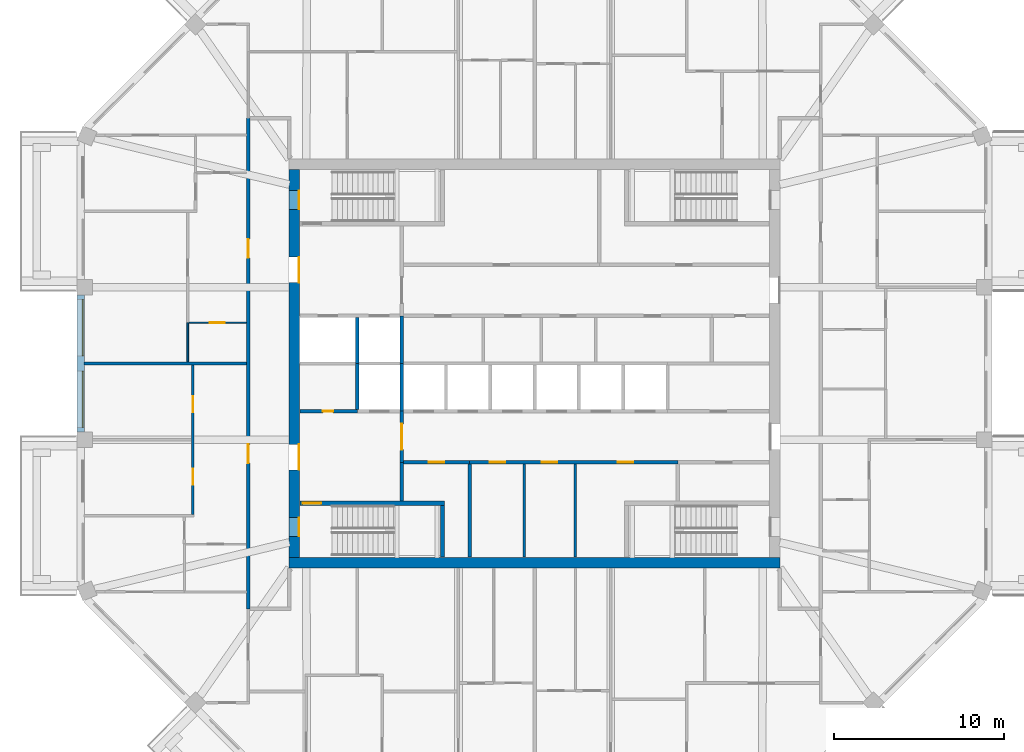
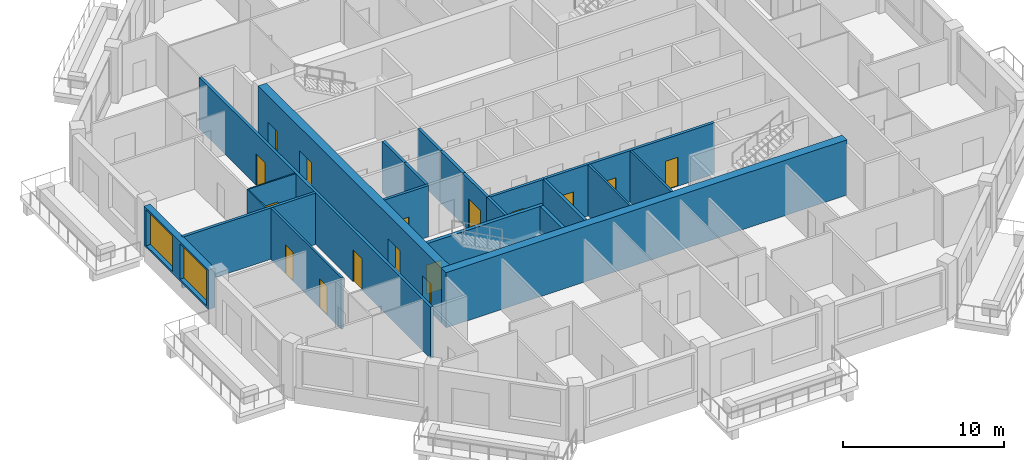
# One storey, part 4 of 12: 22 walls, 16 doors, 2 windows, 18 openings.
"""IFC4 building model written with IfcOpenShell, lengths in metres."""

from ifc_helpers import new_model, si_unit, direction, frame, frame_2d, origin, place, context, subcontext, project, spatial, rectangle, extrude, material, layer, layer_set, type_object, element, fill, save


model = new_model("IFC4")

# Units and contexts
model_context = context("Model", 3, precision=1e-05, world=origin(), true_north=direction((0.0, 1.0)))
body_context = subcontext(model_context, "Body", "Model", "MODEL_VIEW")
ifc_project = project(units=[si_unit("LENGTHUNIT", "METRE"), si_unit("AREAUNIT", "SQUARE_METRE"), si_unit("VOLUMEUNIT", "CUBIC_METRE"), si_unit("PLANEANGLEUNIT", "RADIAN"), si_unit("MASSUNIT", "GRAM", prefix="KILO")], contexts=[model_context])

# Site, building, storey
site_placement = place(None, origin())
site = spatial("IfcSite", under=ifc_project, at=site_placement, CompositionType="ELEMENT")
building_placement = place(site_placement, origin())
building = spatial("IfcBuilding", under=site, at=building_placement, Name="Msitu Wima Residences", CompositionType="ELEMENT")
storey_placement = place(building_placement, frame((0.0, 0.0, 306.300048828125)))
storey = spatial("IfcBuildingStorey", under=building, at=storey_placement, Name="L71", CompositionType="ELEMENT", Elevation=306.300048828125)

# Wall, openings, windows
ifc_material_1 = material(Name="Brick (red buff mix)", Category="masonry")
ifc_layer_1 = layer(ifc_material_1, 0.449951171875)
ifc_layer_set_1 = layer_set([ifc_layer_1], Name="Brick (red buff mix)")
wall_type_1 = type_object("IfcWallType", Name="Brick infill wall BW450", PredefinedType="SOLIDWALL", material=ifc_layer_set_1)
wall_1_placement = place(storey_placement, frame((-26.625, 4.0185546875, 0.89990234375), z_axis=(0.0, 0.0, 1.0), x_axis=(0.0, -1.0, 0.0)))
wall_1 = element("IfcWall", 1, at=wall_1_placement, inside=storey, type_object=wall_type_1, Name="Brick infill wall L71 W1", PredefinedType="SOLIDWALL", context=body_context, shape_type="SweptSolid", body=[
    extrude(rectangle(XDim=8.037109375, YDim=0.449951171875, at=frame_2d((4.0185546875, 0.0))), origin(), (0.0, 0.0, 1.0), 3.0),
])
opening_1_placement = place(wall_1_placement, frame((0.2685546875, 0.0, 0.14990234375)))
opening_1 = element("IfcOpeningElement", 2, at=opening_1_placement, cuts=wall_1, Name="Opening W71.028", PredefinedType="OPENING", context=body_context, shape_type="SweptSolid", body=[
    extrude(rectangle(XDim=3.300048828125, YDim=2.699951171875, at=frame_2d((1.64990234375, 1.35009765625))), frame((0.0, 0.23486328125, 0.0), z_axis=(0.0, -1.0, 0.0), x_axis=(1.0, 0.0, 0.0)), (0.0, 0.0, 1.0), 0.469970703125),
])
opening_2_placement = place(wall_1_placement, frame((4.46875, 0.0, 0.14990234375)))
opening_2 = element("IfcOpeningElement", 3, at=opening_2_placement, cuts=wall_1, Name="Opening W71.029", PredefinedType="OPENING", context=body_context, shape_type="SweptSolid", body=[
    extrude(rectangle(XDim=3.300048828125, YDim=2.699951171875, at=frame_2d((1.64990234375, 1.35009765625))), frame((0.0, 0.23486328125, 0.0), z_axis=(0.0, -1.0, 0.0), x_axis=(1.0, 0.0, 0.0)), (0.0, 0.0, 1.0), 0.469970703125),
])
ifc_material_2 = material(Name="Anodised aluminium, bronze finish, clear low-emissivity double glazing", Category="aluminium")
window_type = type_object("IfcWindowType", Name="Window W3300x2700", PartitioningType="DOUBLE_PANEL_VERTICAL", PredefinedType="WINDOW", material=ifc_material_2)
window_1_placement = place(opening_1_placement, origin())
window_1 = element("IfcWindow", 4, at=window_1_placement, inside=storey, type_object=window_type, Name="Window L71 W1.1", OverallHeight=2.699951171875, OverallWidth=3.300048828125, PartitioningType="SINGLE_PANEL", PredefinedType="WINDOW", context=body_context, shape_type="SweptSolid", body=[
    extrude(rectangle(XDim=3.300048828125, YDim=2.699951171875, at=frame_2d((1.64990234375, 1.35009765625))), frame((0.0, 0.135009765625, 0.0), z_axis=(0.0, -1.0, 0.0), x_axis=(1.0, 0.0, 0.0)), (0.0, 0.0, 1.0), 0.06005859375),
])
fill(opening_1, window_1)
window_2_placement = place(opening_2_placement, origin())
window_2 = element("IfcWindow", 5, at=window_2_placement, inside=storey, type_object=window_type, Name="Window L71 W1.2", OverallHeight=2.699951171875, OverallWidth=3.300048828125, PartitioningType="SINGLE_PANEL", PredefinedType="WINDOW", context=body_context, shape_type="SweptSolid", body=[
    extrude(rectangle(XDim=3.300048828125, YDim=2.699951171875, at=frame_2d((1.64990234375, 1.35009765625))), frame((0.0, 0.135009765625, 0.0), z_axis=(0.0, -1.0, 0.0), x_axis=(1.0, 0.0, 0.0)), (0.0, 0.0, 1.0), 0.06005859375),
])
fill(opening_2, window_2)

# Wall
ifc_material_3 = material(Name="Concrete C50/60", Category="concrete")
ifc_layer_2 = layer(ifc_material_3, 0.60009765625)
ifc_layer_set_2 = layer_set([ifc_layer_2], Name="Concrete C50/60")
wall_type_2 = type_object("IfcWallType", Name="Core wall CW600 C50/60", PredefinedType="SHEAR", material=ifc_layer_set_2)
wall_2_placement = place(storey_placement, frame((-14.39990234375, -11.699951171875, 0.0), z_axis=(0.0, 0.0, 1.0), x_axis=(1.0, 0.0, 0.0)))
element("IfcWall", 6, at=wall_2_placement, inside=storey, type_object=wall_type_2, Name="Core wall", PredefinedType="SHEAR", context=body_context, shape_type="SweptSolid", body=[
    extrude(rectangle(XDim=28.7998046875, YDim=0.60009765625, at=frame_2d((14.39990234375, 0.0))), origin(), (0.0, 0.0, 1.0), 4.199951171875),
])

# Wall, openings, doors
wall_3_placement = place(storey_placement, frame((-14.10009765625, -11.39990234375, 0.0), z_axis=(0.0, 0.0, 1.0), x_axis=(0.0, 1.0, 0.0)))
wall_3 = element("IfcWall", 7, at=wall_3_placement, inside=storey, type_object=wall_type_2, Name="Core wall", PredefinedType="SHEAR", context=body_context, shape_type="SweptSolid", body=[
    extrude(rectangle(XDim=22.7998046875, YDim=0.60009765625, at=frame_2d((11.39990234375, 0.0))), origin(), (0.0, 0.0, 1.0), 4.199951171875),
])
opening_3_placement = place(wall_3_placement, frame((20.449951171875, 0.0, 0.0)))
opening_3 = element("IfcOpeningElement", 8, at=opening_3_placement, cuts=wall_3, Name="Opening D71.084", PredefinedType="OPENING", context=body_context, shape_type="SweptSolid", body=[
    extrude(rectangle(XDim=1.10009765625, YDim=2.199951171875, at=frame_2d((0.550048828125, 1.10009765625))), frame((0.0, 0.31005859375, 0.0), z_axis=(0.0, -1.0, 0.0), x_axis=(1.0, 0.0, 0.0)), (0.0, 0.0, 1.0), 0.6201171875),
])
opening_4_placement = place(wall_3_placement, frame((1.25, 0.0, 0.0)))
opening_4 = element("IfcOpeningElement", 9, at=opening_4_placement, cuts=wall_3, Name="Opening D71.086", PredefinedType="OPENING", context=body_context, shape_type="SweptSolid", body=[
    extrude(rectangle(XDim=1.10009765625, YDim=2.199951171875, at=frame_2d((0.550048828125, 1.10009765625))), frame((0.0, 0.31005859375, 0.0), z_axis=(0.0, -1.0, 0.0), x_axis=(1.0, 0.0, 0.0)), (0.0, 0.0, 1.0), 0.6201171875),
])
opening_5_placement = place(wall_3_placement, frame((16.14990234375, 0.0, 0.0)))
opening_5 = element("IfcOpeningElement", 10, at=opening_5_placement, cuts=wall_3, Name="Opening D71.065", PredefinedType="OPENING", context=body_context, shape_type="SweptSolid", body=[
    extrude(rectangle(XDim=1.5, YDim=2.39990234375, at=frame_2d((0.75, 1.199951171875))), frame((0.0, 0.31005859375, 0.0), z_axis=(0.0, -1.0, 0.0), x_axis=(1.0, 0.0, 0.0)), (0.0, 0.0, 1.0), 0.6201171875),
])
opening_6_placement = place(wall_3_placement, frame((5.14990234375, 0.0, 0.0)))
opening_6 = element("IfcOpeningElement", 11, at=opening_6_placement, cuts=wall_3, Name="Opening D71.067", PredefinedType="OPENING", context=body_context, shape_type="SweptSolid", body=[
    extrude(rectangle(XDim=1.5, YDim=2.39990234375, at=frame_2d((0.75, 1.199951171875))), frame((0.0, 0.31005859375, 0.0), z_axis=(0.0, -1.0, 0.0), x_axis=(1.0, 0.0, 0.0)), (0.0, 0.0, 1.0), 0.6201171875),
])
ifc_material_4 = material(Name="Steel framed glazed door, fire resisting", Category="steel")
door_type_1 = type_object("IfcDoorType", Name="Lobby door D07 1500x2400", OperationType="DOUBLE_DOOR_SINGLE_SWING", PredefinedType="DOOR", material=ifc_material_4)
door_1_placement = place(opening_5_placement, origin())
door_1 = element("IfcDoor", 12, at=door_1_placement, inside=storey, type_object=door_type_1, Name="Lobby door", OperationType="DOUBLE_DOOR_SINGLE_SWING", OverallHeight=2.39990234375, OverallWidth=1.5, PredefinedType="DOOR", context=body_context, shape_type="SweptSolid", body=[
    extrude(rectangle(XDim=1.5, YDim=2.39990234375, at=frame_2d((0.75, 1.199951171875))), frame((0.0, -0.2451171875, 0.0), z_axis=(0.0, -1.0, 0.0), x_axis=(1.0, 0.0, 0.0)), (0.0, 0.0, 1.0), 0.050048828125),
])
fill(opening_5, door_1)
door_2_placement = place(opening_6_placement, origin())
door_2 = element("IfcDoor", 13, at=door_2_placement, inside=storey, type_object=door_type_1, Name="Lobby door", OperationType="DOUBLE_DOOR_SINGLE_SWING", OverallHeight=2.39990234375, OverallWidth=1.5, PredefinedType="DOOR", context=body_context, shape_type="SweptSolid", body=[
    extrude(rectangle(XDim=1.5, YDim=2.39990234375, at=frame_2d((0.75, 1.199951171875))), frame((0.0, -0.2451171875, 0.0), z_axis=(0.0, -1.0, 0.0), x_axis=(1.0, 0.0, 0.0)), (0.0, 0.0, 1.0), 0.050048828125),
])
fill(opening_6, door_2)
ifc_material_5 = material(Name="Steel door, fire resisting, panic bar", Category="steel")
door_type_2 = type_object("IfcDoorType", Name="Stair door D06 1100x2200", OperationType="SINGLE_SWING_LEFT", PredefinedType="DOOR", material=ifc_material_5)
door_3_placement = place(opening_3_placement, origin())
door_3 = element("IfcDoor", 14, at=door_3_placement, inside=storey, type_object=door_type_2, Name="Stair door", OperationType="SINGLE_SWING_RIGHT", OverallHeight=2.199951171875, OverallWidth=1.10009765625, PredefinedType="DOOR", context=body_context, shape_type="SweptSolid", body=[
    extrude(rectangle(XDim=1.10009765625, YDim=2.199951171875, at=frame_2d((0.550048828125, 1.10009765625))), frame((0.0, -0.2451171875, 0.0), z_axis=(0.0, -1.0, 0.0), x_axis=(1.0, 0.0, 0.0)), (0.0, 0.0, 1.0), 0.050048828125),
])
fill(opening_3, door_3)
door_4_placement = place(opening_4_placement, origin())
door_4 = element("IfcDoor", 15, at=door_4_placement, inside=storey, type_object=door_type_2, Name="Stair door", OperationType="SINGLE_SWING_LEFT", OverallHeight=2.199951171875, OverallWidth=1.10009765625, PredefinedType="DOOR", context=body_context, shape_type="SweptSolid", body=[
    extrude(rectangle(XDim=1.10009765625, YDim=2.199951171875, at=frame_2d((0.550048828125, 1.10009765625))), frame((0.0, -0.2451171875, 0.0), z_axis=(0.0, -1.0, 0.0), x_axis=(1.0, 0.0, 0.0)), (0.0, 0.0, 1.0), 0.050048828125),
])
fill(opening_4, door_4)

ifc_material_6 = material(Name="Plaster")
ifc_layer_3 = layer(ifc_material_6, 0.011962890625, Name="Plaster")
ifc_material_7 = material(Name="Concrete blockwork", Category="masonry")
ifc_layer_4 = layer(ifc_material_7, 0.176025390625, Name="Concrete blockwork")
ifc_layer_5 = layer(ifc_material_6, 0.011962890625, Name="Plaster")
ifc_layer_set_3 = layer_set([ifc_layer_3, ifc_layer_4, ifc_layer_5], Name="Concrete blockwork")
wall_type_3 = type_object("IfcWallType", Name="Corridor wall FW200", PredefinedType="PARTITIONING", material=ifc_layer_set_3)
wall_4_placement = place(storey_placement, frame((-16.800048828125, -14.39990234375, 0.0), z_axis=(0.0, 0.0, 1.0), x_axis=(0.0, 1.0, 0.0)))
wall_4 = element("IfcWall", 16, at=wall_4_placement, inside=storey, type_object=wall_type_3, Name="Corridor wall", PredefinedType="PARTITIONING", context=body_context, shape_type="SweptSolid", body=[
    extrude(rectangle(XDim=28.7998046875, YDim=0.199951171875, at=frame_2d((14.39990234375, 0.0))), origin(), (0.0, 0.0, 1.0), 3.89990234375),
])
opening_7_placement = place(wall_4_placement, frame((20.60009765625, 0.0, 0.0)))
opening_7 = element("IfcOpeningElement", 17, at=opening_7_placement, cuts=wall_4, Name="Opening D71.037", PredefinedType="OPENING", context=body_context, shape_type="SweptSolid", body=[
    extrude(rectangle(XDim=1.10009765625, YDim=2.39990234375, at=frame_2d((0.550048828125, 1.199951171875))), frame((0.0, 0.10986328125, 0.0), z_axis=(0.0, -1.0, 0.0), x_axis=(1.0, 0.0, 0.0)), (0.0, 0.0, 1.0), 0.219970703125),
])
opening_8_placement = place(wall_4_placement, frame((8.550048828125, 0.0, 0.0)))
opening_8 = element("IfcOpeningElement", 18, at=opening_8_placement, cuts=wall_4, Name="Opening D71.050", PredefinedType="OPENING", context=body_context, shape_type="SweptSolid", body=[
    extrude(rectangle(XDim=1.10009765625, YDim=2.39990234375, at=frame_2d((0.550048828125, 1.199951171875))), frame((0.0, 0.10986328125, 0.0), z_axis=(0.0, -1.0, 0.0), x_axis=(1.0, 0.0, 0.0)), (0.0, 0.0, 1.0), 0.219970703125),
])
ifc_material_8 = material(Name="Timber flush door, fire resisting, self-closing", Category="wood")
door_type_3 = type_object("IfcDoorType", Name="Flat entrance door D01 1100x2400", OperationType="SINGLE_SWING_LEFT", PredefinedType="DOOR", material=ifc_material_8)
door_5_placement = place(opening_7_placement, origin())
door_5 = element("IfcDoor", 19, at=door_5_placement, inside=storey, type_object=door_type_3, Name="Flat entrance door", OperationType="SINGLE_SWING_RIGHT", OverallHeight=2.39990234375, OverallWidth=1.10009765625, PredefinedType="DOOR", context=body_context, shape_type="SweptSolid", body=[
    extrude(rectangle(XDim=1.10009765625, YDim=2.39990234375, at=frame_2d((0.550048828125, 1.199951171875))), frame((0.0, 0.02490234375, 0.0), z_axis=(0.0, -1.0, 0.0), x_axis=(1.0, 0.0, 0.0)), (0.0, 0.0, 1.0), 0.050048828125),
])
fill(opening_7, door_5)
door_6_placement = place(opening_8_placement, origin())
door_6 = element("IfcDoor", 20, at=door_6_placement, inside=storey, type_object=door_type_3, Name="Flat entrance door", OperationType="SINGLE_SWING_LEFT", OverallHeight=2.39990234375, OverallWidth=1.10009765625, PredefinedType="DOOR", context=body_context, shape_type="SweptSolid", body=[
    extrude(rectangle(XDim=1.10009765625, YDim=2.39990234375, at=frame_2d((0.550048828125, 1.199951171875))), frame((0.0, 0.02490234375, 0.0), z_axis=(0.0, -1.0, 0.0), x_axis=(1.0, 0.0, 0.0)), (0.0, 0.0, 1.0), 0.050048828125),
])
fill(opening_8, door_6)

# Wall, opening, door
wall_5_placement = place(storey_placement, frame((-7.800048828125, -5.800048828125, 0.0), z_axis=(0.0, 0.0, 1.0), x_axis=(0.0, 1.0, 0.0)))
wall_5 = element("IfcWall", 21, at=wall_5_placement, inside=storey, type_object=wall_type_3, Name="Corridor wall", PredefinedType="PARTITIONING", context=body_context, shape_type="SweptSolid", body=[
    extrude(rectangle(XDim=3.0, YDim=0.199951171875, at=frame_2d((1.5, 0.0))), origin(), (0.0, 0.0, 1.0), 3.89990234375),
])
opening_9_placement = place(wall_5_placement, frame((0.75, 0.0, 0.0)))
opening_9 = element("IfcOpeningElement", 22, at=opening_9_placement, cuts=wall_5, Name="Opening D71.068", PredefinedType="OPENING", context=body_context, shape_type="SweptSolid", body=[
    extrude(rectangle(XDim=1.5, YDim=2.39990234375, at=frame_2d((0.75, 1.199951171875))), frame((0.0, 0.10986328125, 0.0), z_axis=(0.0, -1.0, 0.0), x_axis=(1.0, 0.0, 0.0)), (0.0, 0.0, 1.0), 0.219970703125),
])
door_7_placement = place(opening_9_placement, origin())
door_7 = element("IfcDoor", 23, at=door_7_placement, inside=storey, type_object=door_type_1, Name="Lobby door", OperationType="DOUBLE_DOOR_SINGLE_SWING", OverallHeight=2.39990234375, OverallWidth=1.5, PredefinedType="DOOR", context=body_context, shape_type="SweptSolid", body=[
    extrude(rectangle(XDim=1.5, YDim=2.39990234375, at=frame_2d((0.75, 1.199951171875))), frame((0.0, 0.02490234375, 0.0), z_axis=(0.0, -1.0, 0.0), x_axis=(1.0, 0.0, 0.0)), (0.0, 0.0, 1.0), 0.050048828125),
])
fill(opening_9, door_7)

# Wall, openings, doors
wall_6_placement = place(storey_placement, frame((-3.820068359375, -5.800048828125, 0.0), z_axis=(0.0, 0.0, 1.0), x_axis=(1.0, 0.0, 0.0)))
wall_6 = element("IfcWall", 24, at=wall_6_placement, inside=storey, type_object=wall_type_3, Name="Corridor wall", PredefinedType="PARTITIONING", context=body_context, shape_type="SweptSolid", body=[
    extrude(rectangle(XDim=12.239990234375, YDim=0.199951171875, at=frame_2d((6.1201171875, 0.0))), origin(), (0.0, 0.0, 1.0), 3.89990234375),
])
opening_10_placement = place(wall_6_placement, frame((1.199951171875, 0.0, 0.0)))
opening_10 = element("IfcOpeningElement", 25, at=opening_10_placement, cuts=wall_6, Name="Opening D71.072", PredefinedType="OPENING", context=body_context, shape_type="SweptSolid", body=[
    extrude(rectangle(XDim=0.89990234375, YDim=2.199951171875, at=frame_2d((0.449951171875, 1.10009765625))), frame((0.0, 0.10986328125, 0.0), z_axis=(0.0, -1.0, 0.0), x_axis=(1.0, 0.0, 0.0)), (0.0, 0.0, 1.0), 0.219970703125),
])
opening_11_placement = place(wall_6_placement, frame((4.25, 0.0, 0.0)))
opening_11 = element("IfcOpeningElement", 26, at=opening_11_placement, cuts=wall_6, Name="Opening D71.073", PredefinedType="OPENING", context=body_context, shape_type="SweptSolid", body=[
    extrude(rectangle(XDim=0.89990234375, YDim=2.199951171875, at=frame_2d((0.449951171875, 1.10009765625))), frame((0.0, 0.10986328125, 0.0), z_axis=(0.0, -1.0, 0.0), x_axis=(1.0, 0.0, 0.0)), (0.0, 0.0, 1.0), 0.219970703125),
])
opening_12_placement = place(wall_6_placement, frame((8.699951171875, 0.0, 0.0)))
opening_12 = element("IfcOpeningElement", 27, at=opening_12_placement, cuts=wall_6, Name="Opening D71.074", PredefinedType="OPENING", context=body_context, shape_type="SweptSolid", body=[
    extrude(rectangle(XDim=0.89990234375, YDim=2.199951171875, at=frame_2d((0.449951171875, 1.10009765625))), frame((0.0, 0.10986328125, 0.0), z_axis=(0.0, -1.0, 0.0), x_axis=(1.0, 0.0, 0.0)), (0.0, 0.0, 1.0), 0.219970703125),
])
ifc_material_9 = material(Name="Timber flush door", Category="wood")
door_type_4 = type_object("IfcDoorType", Name="Service door D05 900x2200", OperationType="SINGLE_SWING_LEFT", PredefinedType="DOOR", material=ifc_material_9)
door_8_placement = place(opening_10_placement, origin())
door_8 = element("IfcDoor", 28, at=door_8_placement, inside=storey, type_object=door_type_4, Name="Service door", OperationType="SINGLE_SWING_LEFT", OverallHeight=2.199951171875, OverallWidth=0.89990234375, PredefinedType="DOOR", context=body_context, shape_type="SweptSolid", body=[
    extrude(rectangle(XDim=0.89990234375, YDim=2.199951171875, at=frame_2d((0.449951171875, 1.10009765625))), frame((0.0, 0.02490234375, 0.0), z_axis=(0.0, -1.0, 0.0), x_axis=(1.0, 0.0, 0.0)), (0.0, 0.0, 1.0), 0.050048828125),
])
fill(opening_10, door_8)
door_9_placement = place(opening_11_placement, origin())
door_9 = element("IfcDoor", 29, at=door_9_placement, inside=storey, type_object=door_type_4, Name="Service door", OperationType="SINGLE_SWING_RIGHT", OverallHeight=2.199951171875, OverallWidth=0.89990234375, PredefinedType="DOOR", context=body_context, shape_type="SweptSolid", body=[
    extrude(rectangle(XDim=0.89990234375, YDim=2.199951171875, at=frame_2d((0.449951171875, 1.10009765625))), frame((0.0, 0.02490234375, 0.0), z_axis=(0.0, -1.0, 0.0), x_axis=(1.0, 0.0, 0.0)), (0.0, 0.0, 1.0), 0.050048828125),
])
fill(opening_11, door_9)
door_10_placement = place(opening_12_placement, origin())
door_10 = element("IfcDoor", 30, at=door_10_placement, inside=storey, type_object=door_type_4, Name="Service door", OperationType="SINGLE_SWING_RIGHT", OverallHeight=2.199951171875, OverallWidth=0.89990234375, PredefinedType="DOOR", context=body_context, shape_type="SweptSolid", body=[
    extrude(rectangle(XDim=0.89990234375, YDim=2.199951171875, at=frame_2d((0.449951171875, 1.10009765625))), frame((0.0, 0.02490234375, 0.0), z_axis=(0.0, -1.0, 0.0), x_axis=(1.0, 0.0, 0.0)), (0.0, 0.0, 1.0), 0.050048828125),
])
fill(opening_12, door_10)

ifc_layer_6 = layer(ifc_material_6, 0.011962890625, Name="Plaster")
ifc_layer_7 = layer(ifc_material_7, 0.1259765625, Name="Concrete blockwork")
ifc_layer_8 = layer(ifc_material_6, 0.011962890625, Name="Plaster")
ifc_layer_set_4 = layer_set([ifc_layer_6, ifc_layer_7, ifc_layer_8], Name="Concrete blockwork")
wall_type_4 = type_object("IfcWallType", Name="Partition PW150", PredefinedType="PARTITIONING", material=ifc_layer_set_4)
wall_7_placement = place(storey_placement, frame((-20.050048828125, -8.8623046875, 0.0), z_axis=(0.0, 0.0, 1.0), x_axis=(0.0, 1.0, 0.0)))
wall_7 = element("IfcWall", 31, at=wall_7_placement, inside=storey, type_object=wall_type_4, Name="Partition", PredefinedType="PARTITIONING", context=body_context, shape_type="SweptSolid", body=[
    extrude(rectangle(XDim=8.76220703125, YDim=0.14990234375, at=frame_2d((4.381103515625, 0.0))), origin(), (0.0, 0.0, 1.0), 3.89990234375),
])
opening_13_placement = place(wall_7_placement, frame((6.0, 0.0, 0.0)))
opening_13 = element("IfcOpeningElement", 32, at=opening_13_placement, cuts=wall_7, Name="Opening D71.056", PredefinedType="OPENING", context=body_context, shape_type="SweptSolid", body=[
    extrude(rectangle(XDim=0.949951171875, YDim=2.199951171875, at=frame_2d((0.47509765625, 1.10009765625))), frame((0.0, 0.0849609375, 0.0), z_axis=(0.0, -1.0, 0.0), x_axis=(1.0, 0.0, 0.0)), (0.0, 0.0, 1.0), 0.169921875),
])
opening_14_placement = place(wall_7_placement, frame((1.75, 0.0, 0.0)))
opening_14 = element("IfcOpeningElement", 33, at=opening_14_placement, cuts=wall_7, Name="Opening D71.057", PredefinedType="OPENING", context=body_context, shape_type="SweptSolid", body=[
    extrude(rectangle(XDim=0.949951171875, YDim=2.199951171875, at=frame_2d((0.47509765625, 1.10009765625))), frame((0.0, 0.0849609375, 0.0), z_axis=(0.0, -1.0, 0.0), x_axis=(1.0, 0.0, 0.0)), (0.0, 0.0, 1.0), 0.169921875),
])
door_type_5 = type_object("IfcDoorType", Name="Room door D12 950x2200", OperationType="SINGLE_SWING_LEFT", PredefinedType="DOOR", material=ifc_material_9)
door_11_placement = place(opening_13_placement, origin())
door_11 = element("IfcDoor", 34, at=door_11_placement, inside=storey, type_object=door_type_5, Name="Room door", OperationType="SINGLE_SWING_LEFT", OverallHeight=2.199951171875, OverallWidth=0.949951171875, PredefinedType="DOOR", context=body_context, shape_type="SweptSolid", body=[
    extrude(rectangle(XDim=0.949951171875, YDim=2.199951171875, at=frame_2d((0.47509765625, 1.10009765625))), frame((0.0, 0.02490234375, 0.0), z_axis=(0.0, -1.0, 0.0), x_axis=(1.0, 0.0, 0.0)), (0.0, 0.0, 1.0), 0.050048828125),
])
fill(opening_13, door_11)
door_12_placement = place(opening_14_placement, origin())
door_12 = element("IfcDoor", 35, at=door_12_placement, inside=storey, type_object=door_type_5, Name="Room door", OperationType="SINGLE_SWING_RIGHT", OverallHeight=2.199951171875, OverallWidth=0.949951171875, PredefinedType="DOOR", context=body_context, shape_type="SweptSolid", body=[
    extrude(rectangle(XDim=0.949951171875, YDim=2.199951171875, at=frame_2d((0.47509765625, 1.10009765625))), frame((0.0, 0.02490234375, 0.0), z_axis=(0.0, -1.0, 0.0), x_axis=(1.0, 0.0, 0.0)), (0.0, 0.0, 1.0), 0.050048828125),
])
fill(opening_14, door_12)

# Walls
for number, where, z_axis, x_axis, name in (
    (36, (-0.60009765625, -11.3701171875, 0.0), (0.0, 0.0, 1.0), (0.0, 1.0, 0.0), "Partition"),
    (37, (2.39990234375, -11.3701171875, 0.0), (0.0, 0.0, 1.0), (0.0, 1.0, 0.0), "Partition"),
):
    element("IfcWall", number, at=place(storey_placement, frame(where, z_axis=z_axis, x_axis=x_axis)), inside=storey, type_object=wall_type_4, Name=name, PredefinedType="PARTITIONING", context=body_context, shape_type="SweptSolid", body=[
        extrude(rectangle(XDim=5.47021484375, YDim=0.14990234375, at=frame_2d((2.735107421875, 0.0))), origin(), (0.0, 0.0, 1.0), 3.89990234375),
    ])
ifc_layer_9 = layer(ifc_material_6, 0.011962890625, Name="Plaster")
ifc_material_10 = material(Name="Dense concrete blockwork", Category="masonry")
ifc_layer_10 = layer(ifc_material_10, 0.176025390625, Name="Dense concrete blockwork")
ifc_layer_11 = layer(ifc_material_6, 0.011962890625, Name="Plaster")
ifc_layer_set_5 = layer_set([ifc_layer_9, ifc_layer_10, ifc_layer_11], Name="Dense concrete blockwork")
wall_type_5 = type_object("IfcWallType", Name="Party wall PW200", PredefinedType="PARTITIONING", material=ifc_layer_set_5)
wall_8_placement = place(storey_placement, frame((-26.455078125, 0.0, 0.0), z_axis=(0.0, 0.0, 1.0), x_axis=(1.0, 0.0, 0.0)))
element("IfcWall", 38, at=wall_8_placement, inside=storey, type_object=wall_type_5, Name="Party wall", PredefinedType="PARTITIONING", context=body_context, shape_type="SweptSolid", body=[
    extrude(rectangle(XDim=9.55517578125, YDim=0.199951171875, at=frame_2d((4.777587890625, 0.0))), origin(), (0.0, 0.0, 1.0), 3.89990234375),
])

# Wall, opening, door
ifc_layer_12 = layer(ifc_material_6, 0.011962890625, Name="Plaster")
ifc_material_11 = material(Name="Reinforced concrete blockwork", Category="masonry")
ifc_layer_13 = layer(ifc_material_11, 0.176025390625, Name="Reinforced concrete blockwork")
ifc_layer_14 = layer(ifc_material_6, 0.011962890625, Name="Plaster")
ifc_layer_set_6 = layer_set([ifc_layer_12, ifc_layer_13, ifc_layer_14], Name="Reinforced concrete blockwork")
wall_type_6 = type_object("IfcWallType", Name="Plant and riser wall PL200", PredefinedType="PARTITIONING", material=ifc_layer_set_6)
wall_9_placement = place(storey_placement, frame((-13.77001953125, -2.800048828125, 0.0), z_axis=(0.0, 0.0, 1.0), x_axis=(1.0, 0.0, 0.0)))
wall_9 = element("IfcWall", 39, at=wall_9_placement, inside=storey, type_object=wall_type_6, Name="Plant and riser wall", PredefinedType="PARTITIONING", context=body_context, shape_type="SweptSolid", body=[
    extrude(rectangle(XDim=3.3701171875, YDim=0.199951171875, at=frame_2d((1.68505859375, 0.0))), origin(), (0.0, 0.0, 1.0), 3.89990234375),
])
opening_15_placement = place(wall_9_placement, frame((1.35009765625, 0.0, 0.0)))
opening_15 = element("IfcOpeningElement", 40, at=opening_15_placement, cuts=wall_9, Name="Opening D71.083", PredefinedType="OPENING", context=body_context, shape_type="SweptSolid", body=[
    extrude(rectangle(XDim=0.60009765625, YDim=2.0, at=frame_2d((0.300048828125, 1.0))), frame((0.0, 0.10986328125, 0.0), z_axis=(0.0, -1.0, 0.0), x_axis=(1.0, 0.0, 0.0)), (0.0, 0.0, 1.0), 0.219970703125),
])
ifc_material_12 = material(Name="Steel access door, fire resisting", Category="steel")
door_type_6 = type_object("IfcDoorType", Name="Riser access door D08 600x2000", OperationType="SINGLE_SWING_LEFT", PredefinedType="DOOR", material=ifc_material_12)
door_13_placement = place(opening_15_placement, origin())
door_13 = element("IfcDoor", 41, at=door_13_placement, inside=storey, type_object=door_type_6, Name="Riser access door", OperationType="SINGLE_SWING_RIGHT", OverallHeight=2.0, OverallWidth=0.60009765625, PredefinedType="DOOR", context=body_context, shape_type="SweptSolid", body=[
    extrude(rectangle(XDim=0.60009765625, YDim=2.0, at=frame_2d((0.300048828125, 1.0))), frame((0.0, 0.02490234375, 0.0), z_axis=(0.0, -1.0, 0.0), x_axis=(1.0, 0.0, 0.0)), (0.0, 0.0, 1.0), 0.050048828125),
])
fill(opening_15, door_13)

# Wall
wall_10_placement = place(storey_placement, frame((-7.800048828125, -8.074951171875, 0.0), z_axis=(0.0, 0.0, 1.0), x_axis=(0.0, 1.0, 0.0)))
element("IfcWall", 42, at=wall_10_placement, inside=storey, type_object=wall_type_6, Name="Plant and riser wall", PredefinedType="PARTITIONING", context=body_context, shape_type="SweptSolid", body=[
    extrude(rectangle(XDim=2.27490234375, YDim=0.199951171875, at=frame_2d((1.137451171875, 0.0))), origin(), (0.0, 0.0, 1.0), 3.89990234375),
])

# Wall, opening, door
wall_11_placement = place(storey_placement, frame((-7.699951171875, -5.800048828125, 0.0), z_axis=(0.0, 0.0, 1.0), x_axis=(1.0, 0.0, 0.0)))
wall_11 = element("IfcWall", 43, at=wall_11_placement, inside=storey, type_object=wall_type_6, Name="Plant and riser wall", PredefinedType="PARTITIONING", context=body_context, shape_type="SweptSolid", body=[
    extrude(rectangle(XDim=3.8798828125, YDim=0.199951171875, at=frame_2d((1.93994140625, 0.0))), origin(), (0.0, 0.0, 1.0), 3.89990234375),
])
opening_16_placement = place(wall_11_placement, frame((1.5, 0.0, 0.0)))
opening_16 = element("IfcOpeningElement", 44, at=opening_16_placement, cuts=wall_11, Name="Opening D71.071", PredefinedType="OPENING", context=body_context, shape_type="SweptSolid", body=[
    extrude(rectangle(XDim=0.89990234375, YDim=2.199951171875, at=frame_2d((0.449951171875, 1.10009765625))), frame((0.0, 0.10986328125, 0.0), z_axis=(0.0, -1.0, 0.0), x_axis=(1.0, 0.0, 0.0)), (0.0, 0.0, 1.0), 0.219970703125),
])
door_14_placement = place(opening_16_placement, origin())
door_14 = element("IfcDoor", 45, at=door_14_placement, inside=storey, type_object=door_type_4, Name="Service door", OperationType="SINGLE_SWING_LEFT", OverallHeight=2.199951171875, OverallWidth=0.89990234375, PredefinedType="DOOR", context=body_context, shape_type="SweptSolid", body=[
    extrude(rectangle(XDim=0.89990234375, YDim=2.199951171875, at=frame_2d((0.449951171875, 1.10009765625))), frame((0.0, 0.02490234375, 0.0), z_axis=(0.0, -1.0, 0.0), x_axis=(1.0, 0.0, 0.0)), (0.0, 0.0, 1.0), 0.050048828125),
])
fill(opening_16, door_14)

# Walls
wall_12_placement = place(storey_placement, frame((-3.800048828125, -11.3701171875, 0.0), z_axis=(0.0, 0.0, 1.0), x_axis=(0.0, 1.0, 0.0)))
element("IfcWall", 46, at=wall_12_placement, inside=storey, type_object=wall_type_6, Name="Plant and riser wall", PredefinedType="PARTITIONING", context=body_context, shape_type="SweptSolid", body=[
    extrude(rectangle(XDim=5.47021484375, YDim=0.199951171875, at=frame_2d((2.735107421875, 0.0))), origin(), (0.0, 0.0, 1.0), 3.89990234375),
])
ifc_material_13 = material(Name="Fire-rated board")
ifc_layer_15 = layer(ifc_material_13, 0.02490234375, Name="Fire-rated board")
ifc_material_14 = material(Name="Light-gauge stud framing with mineral wool")
ifc_layer_16 = layer(ifc_material_14, 0.14990234375, Name="Light-gauge stud framing with mineral wool")
ifc_layer_17 = layer(ifc_material_13, 0.02490234375, Name="Fire-rated board")
ifc_layer_set_7 = layer_set([ifc_layer_15, ifc_layer_16, ifc_layer_17], Name="Light-gauge stud framing with mineral wool")
wall_type_7 = type_object("IfcWallType", Name="Shaft wall SH200", PredefinedType="PARTITIONING", material=ifc_layer_set_7)
for number, where, z_axis, x_axis, name in (
    (47, (-10.39990234375, -2.699951171875, 0.0), (0.0, 0.0, 1.0), (0.0, 1.0, 0.0), "Shaft wall"),
    (48, (-10.39990234375, 0.0, 0.0), (0.0, 0.0, 1.0), (0.0, 1.0, 0.0), "Shaft wall"),
):
    element("IfcWall", number, at=place(storey_placement, frame(where, z_axis=z_axis, x_axis=x_axis)), inside=storey, type_object=wall_type_7, Name=name, PredefinedType="PARTITIONING", context=body_context, shape_type="SweptSolid", body=[
        extrude(rectangle(XDim=2.699951171875, YDim=0.199951171875, at=frame_2d((1.35009765625, 0.0))), origin(), (0.0, 0.0, 1.0), 3.89990234375),
    ])
for number, where, z_axis, x_axis, name in (
    (49, (-7.800048828125, -2.800048828125, 0.0), (0.0, 0.0, 1.0), (0.0, 1.0, 0.0), "Shaft wall"),
    (50, (-7.800048828125, 0.0, 0.0), (0.0, 0.0, 1.0), (0.0, 1.0, 0.0), "Shaft wall"),
):
    element("IfcWall", number, at=place(storey_placement, frame(where, z_axis=z_axis, x_axis=x_axis)), inside=storey, type_object=wall_type_7, Name=name, PredefinedType="PARTITIONING", context=body_context, shape_type="SweptSolid", body=[
        extrude(rectangle(XDim=2.800048828125, YDim=0.199951171875, at=frame_2d((1.39990234375, 0.0))), origin(), (0.0, 0.0, 1.0), 3.89990234375),
    ])

# Wall, opening, door
ifc_layer_18 = layer(ifc_material_3, 0.25)
ifc_layer_set_8 = layer_set([ifc_layer_18], Name="Concrete C50/60")
wall_type_8 = type_object("IfcWallType", Name="Stair enclosure wall SW250", PredefinedType="SHEAR", material=ifc_layer_set_8)
wall_13_placement = place(storey_placement, frame((-13.77001953125, -8.199951171875, 0.0), z_axis=(0.0, 0.0, 1.0), x_axis=(1.0, 0.0, 0.0)))
wall_13 = element("IfcWall", 51, at=wall_13_placement, inside=storey, type_object=wall_type_8, Name="Stair enclosure wall", PredefinedType="SHEAR", context=body_context, shape_type="SweptSolid", body=[
    extrude(rectangle(XDim=8.4951171875, YDim=0.25, at=frame_2d((4.24755859375, 0.0))), origin(), (0.0, 0.0, 1.0), 3.89990234375),
])
opening_17_placement = place(wall_13_placement, frame((0.14990234375, 0.0, 0.0)))
opening_17 = element("IfcOpeningElement", 52, at=opening_17_placement, cuts=wall_13, Name="Opening D71.087", PredefinedType="OPENING", context=body_context, shape_type="SweptSolid", body=[
    extrude(rectangle(XDim=1.10009765625, YDim=2.199951171875, at=frame_2d((0.550048828125, 1.10009765625))), frame((0.0, 0.135009765625, 0.0), z_axis=(0.0, -1.0, 0.0), x_axis=(1.0, 0.0, 0.0)), (0.0, 0.0, 1.0), 0.27001953125),
])
door_15_placement = place(opening_17_placement, origin())
door_15 = element("IfcDoor", 53, at=door_15_placement, inside=storey, type_object=door_type_2, Name="Stair door", OperationType="SINGLE_SWING_RIGHT", OverallHeight=2.199951171875, OverallWidth=1.10009765625, PredefinedType="DOOR", context=body_context, shape_type="SweptSolid", body=[
    extrude(rectangle(XDim=1.10009765625, YDim=2.199951171875, at=frame_2d((0.550048828125, 1.10009765625))), frame((0.0, 0.02490234375, 0.0), z_axis=(0.0, -1.0, 0.0), x_axis=(1.0, 0.0, 0.0)), (0.0, 0.0, 1.0), 0.050048828125),
])
fill(opening_17, door_15)

# Walls
wall_14_placement = place(storey_placement, frame((-5.39990234375, -11.3701171875, 0.0), z_axis=(0.0, 0.0, 1.0), x_axis=(0.0, 1.0, 0.0)))
element("IfcWall", 54, at=wall_14_placement, inside=storey, type_object=wall_type_8, Name="Stair enclosure wall", PredefinedType="SHEAR", context=body_context, shape_type="SweptSolid", body=[
    extrude(rectangle(XDim=3.045166015625, YDim=0.25, at=frame_2d((1.5224609375, 0.0))), origin(), (0.0, 0.0, 1.0), 3.89990234375),
])
ifc_material_15 = material(Name="Ceramic tiles")
ifc_layer_19 = layer(ifc_material_15, 0.008056640625, Name="Ceramic tiles")
ifc_material_16 = material(Name="Moisture-resistant board")
ifc_layer_20 = layer(ifc_material_16, 0.012451171875, Name="Moisture-resistant board")
ifc_layer_21 = layer(ifc_material_14, 0.06689453125, Name="Light-gauge stud framing with mineral wool")
ifc_layer_22 = layer(ifc_material_16, 0.012451171875, Name="Moisture-resistant board")
ifc_layer_set_9 = layer_set([ifc_layer_19, ifc_layer_20, ifc_layer_21, ifc_layer_22], Name="Light-gauge stud framing with mineral wool")
wall_type_9 = type_object("IfcWallType", Name="Wet wall PW100", PredefinedType="PARTITIONING", material=ifc_layer_set_9)
wall_15_placement = place(storey_placement, frame((-20.35009765625, 0.10009765625, 0.0), z_axis=(0.0, 0.0, 1.0), x_axis=(0.0, 1.0, 0.0)))
element("IfcWall", 55, at=wall_15_placement, inside=storey, type_object=wall_type_9, Name="Wet wall", PredefinedType="PARTITIONING", context=body_context, shape_type="SweptSolid", body=[
    extrude(rectangle(XDim=2.2998046875, YDim=0.10009765625, at=frame_2d((1.14990234375, 0.0))), origin(), (0.0, 0.0, 1.0), 3.89990234375),
])

# Wall, opening, door
wall_16_placement = place(storey_placement, frame((-20.27490234375, 2.39990234375, 0.0), z_axis=(0.0, 0.0, 1.0), x_axis=(1.0, 0.0, 0.0)))
wall_16 = element("IfcWall", 56, at=wall_16_placement, inside=storey, type_object=wall_type_9, Name="Wet wall", PredefinedType="PARTITIONING", context=body_context, shape_type="SweptSolid", body=[
    extrude(rectangle(XDim=3.375, YDim=0.10009765625, at=frame_2d((1.6875, 0.0))), origin(), (0.0, 0.0, 1.0), 3.89990234375),
])
opening_18_placement = place(wall_16_placement, frame((1.199951171875, 0.0, 0.0)))
opening_18 = element("IfcOpeningElement", 57, at=opening_18_placement, cuts=wall_16, Name="Opening D71.038", PredefinedType="OPENING", context=body_context, shape_type="SweptSolid", body=[
    extrude(rectangle(XDim=0.89990234375, YDim=2.199951171875, at=frame_2d((0.449951171875, 1.10009765625))), frame((0.0, 0.06005859375, 0.0), z_axis=(0.0, -1.0, 0.0), x_axis=(1.0, 0.0, 0.0)), (0.0, 0.0, 1.0), 0.1201171875),
])
ifc_material_17 = material(Name="Timber flush door, moisture resistant", Category="wood")
door_type_7 = type_object("IfcDoorType", Name="Bathroom door D03 900x2200", OperationType="SINGLE_SWING_LEFT", PredefinedType="DOOR", material=ifc_material_17)
door_16_placement = place(opening_18_placement, origin())
door_16 = element("IfcDoor", 58, at=door_16_placement, inside=storey, type_object=door_type_7, Name="Bathroom door", OperationType="SINGLE_SWING_RIGHT", OverallHeight=2.199951171875, OverallWidth=0.89990234375, PredefinedType="DOOR", context=body_context, shape_type="SweptSolid", body=[
    extrude(rectangle(XDim=0.89990234375, YDim=2.199951171875, at=frame_2d((0.449951171875, 1.10009765625))), frame((0.0, 0.02490234375, 0.0), z_axis=(0.0, -1.0, 0.0), x_axis=(1.0, 0.0, 0.0)), (0.0, 0.0, 1.0), 0.050048828125),
])
fill(opening_18, door_16)

save(model, "model.ifc")
